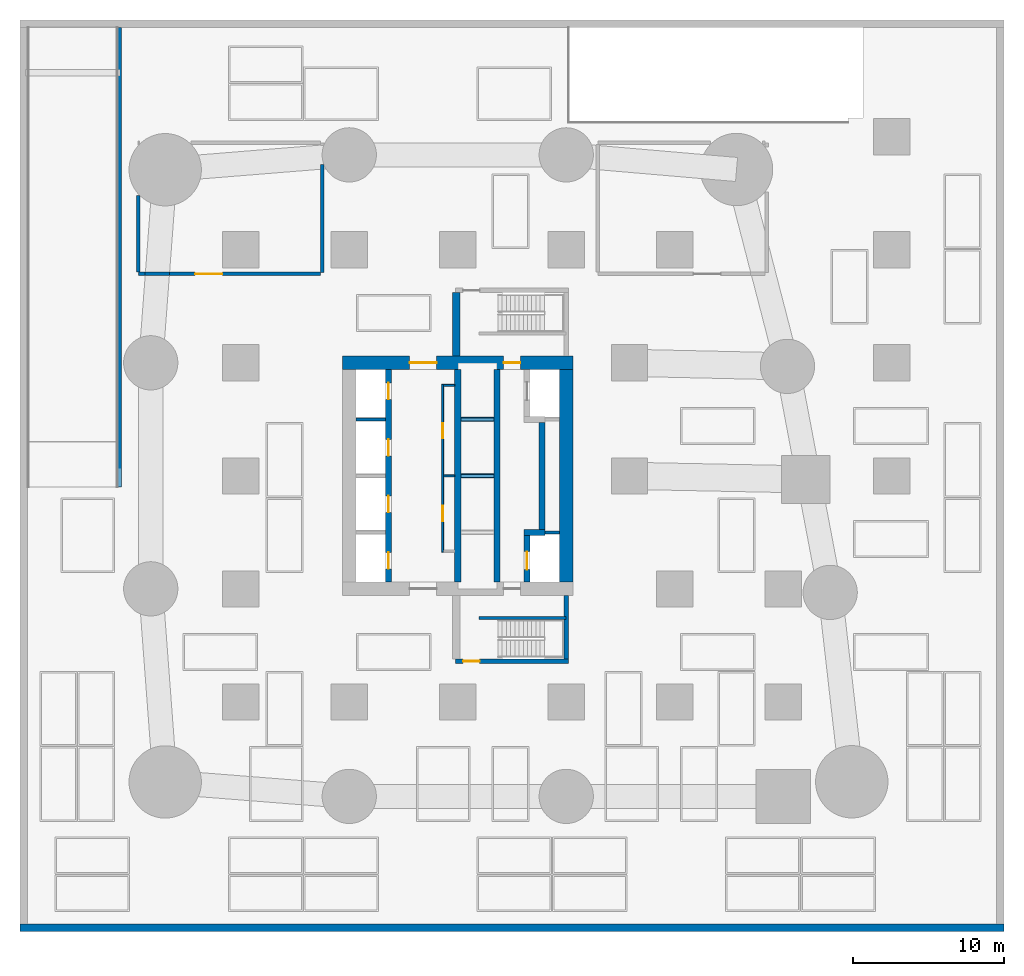
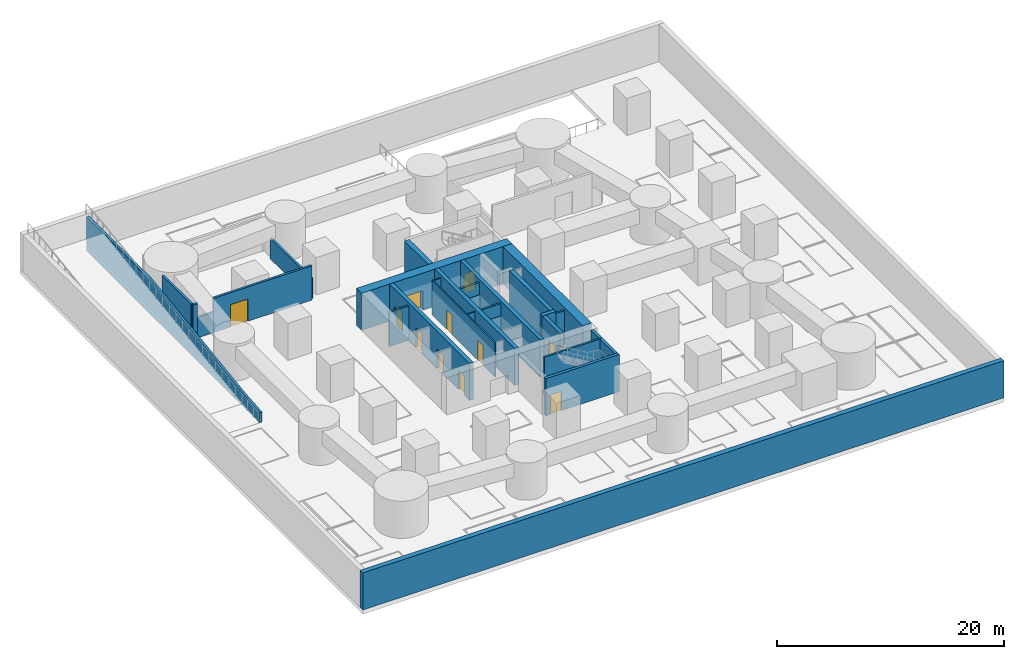
# One storey, part 2 of 8: 28 walls, 11 doors, 11 openings.
"""IFC4 building model written with IfcOpenShell, lengths in metres."""

from ifc_helpers import new_model, si_unit, direction, frame, frame_2d, origin, place, context, subcontext, project, spatial, polyline, rectangle, outline, extrude, material, layer, layer_set, type_object, element, fill, save


model = new_model("IFC4")

# Units and contexts
model_context = context("Model", 3, precision=1e-05, world=origin(), true_north=direction((0.0, 1.0)))
body_context = subcontext(model_context, "Body", "Model", "MODEL_VIEW")
ifc_project = project(units=[si_unit("LENGTHUNIT", "METRE"), si_unit("AREAUNIT", "SQUARE_METRE"), si_unit("VOLUMEUNIT", "CUBIC_METRE"), si_unit("PLANEANGLEUNIT", "RADIAN"), si_unit("MASSUNIT", "GRAM", prefix="KILO")], contexts=[model_context])

# Site, building, storey
site_placement = place(None, origin())
site = spatial("IfcSite", under=ifc_project, at=site_placement, CompositionType="ELEMENT")
building_placement = place(site_placement, origin())
building = spatial("IfcBuilding", under=site, at=building_placement, Name="Sheger Commons Tower", CompositionType="ELEMENT")
storey_placement = place(building_placement, frame((0.0, 0.0, -4.0)))
storey = spatial("IfcBuildingStorey", under=building, at=storey_placement, Name="B1", CompositionType="ELEMENT", Elevation=-4.0)

# Wall, openings, doors
ifc_material_1 = material(Name="Concrete C50/60", Category="concrete")
ifc_layer_1 = layer(ifc_material_1, 0.39990234375)
ifc_layer_set_1 = layer_set([ifc_layer_1], Name="CORE INNER WALL 400")
wall_type_1 = type_object("IfcWallType", Name="CORE INNER WALL 400", PredefinedType="SHEAR", material=ifc_layer_set_1)
wall_1_placement = place(storey_placement, frame((17.0, 15.449951171875, 0.0), z_axis=(0.0, 0.0, 1.0), x_axis=(0.0, 1.0, 0.0)))
wall_1 = element("IfcWall", 1, at=wall_1_placement, inside=storey, type_object=wall_type_1, Name="Core inner wall A B1", PredefinedType="SHEAR", context=body_context, shape_type="SweptSolid", body=[
    extrude(rectangle(XDim=14.10009765625, YDim=0.39990234375, at=frame_2d((7.050048828125, 0.0))), origin(), (0.0, 0.0, 1.0), 4.0),
])
opening_1_placement = place(wall_1_placement, frame((0.875, 0.0, 0.0)))
opening_1 = element("IfcOpeningElement", 2, at=opening_1_placement, cuts=wall_1, Name="Opening LD", PredefinedType="OPENING", context=body_context, shape_type="SweptSolid", body=[
    extrude(rectangle(XDim=1.10009765625, YDim=2.10009765625, at=frame_2d((0.550048828125, 1.050048828125))), frame((0.0, 0.2099609375, 0.0), z_axis=(0.0, -1.0, 0.0), x_axis=(1.0, 0.0, 0.0)), (0.0, 0.0, 1.0), 0.419921875),
])
opening_2_placement = place(wall_1_placement, frame((4.625, 0.0, 0.0)))
opening_2 = element("IfcOpeningElement", 3, at=opening_2_placement, cuts=wall_1, Name="Opening LD", PredefinedType="OPENING", context=body_context, shape_type="SweptSolid", body=[
    extrude(rectangle(XDim=1.10009765625, YDim=2.10009765625, at=frame_2d((0.550048828125, 1.050048828125))), frame((0.0, 0.2099609375, 0.0), z_axis=(0.0, -1.0, 0.0), x_axis=(1.0, 0.0, 0.0)), (0.0, 0.0, 1.0), 0.419921875),
])
opening_3_placement = place(wall_1_placement, frame((8.375, 0.0, 0.0)))
opening_3 = element("IfcOpeningElement", 4, at=opening_3_placement, cuts=wall_1, Name="Opening LD", PredefinedType="OPENING", context=body_context, shape_type="SweptSolid", body=[
    extrude(rectangle(XDim=1.10009765625, YDim=2.10009765625, at=frame_2d((0.550048828125, 1.050048828125))), frame((0.0, 0.2099609375, 0.0), z_axis=(0.0, -1.0, 0.0), x_axis=(1.0, 0.0, 0.0)), (0.0, 0.0, 1.0), 0.419921875),
])
opening_4_placement = place(wall_1_placement, frame((12.125, 0.0, 0.0)))
opening_4 = element("IfcOpeningElement", 5, at=opening_4_placement, cuts=wall_1, Name="Opening LD", PredefinedType="OPENING", context=body_context, shape_type="SweptSolid", body=[
    extrude(rectangle(XDim=1.10009765625, YDim=2.10009765625, at=frame_2d((0.550048828125, 1.050048828125))), frame((0.0, 0.2099609375, 0.0), z_axis=(0.0, -1.0, 0.0), x_axis=(1.0, 0.0, 0.0)), (0.0, 0.0, 1.0), 0.419921875),
])
ifc_material_2 = material(Name="Steel door set, fire rated", Category="steel")
door_type_1 = type_object("IfcDoorType", Name="LIFT LANDING DOOR 1100x2100", OperationType="DOUBLE_DOOR_SLIDING", PredefinedType="DOOR", material=ifc_material_2)
door_1_placement = place(opening_1_placement, origin())
door_1 = element("IfcDoor", 6, at=door_1_placement, inside=storey, type_object=door_type_1, Name="Lift LA1 landing door", OperationType="DOUBLE_DOOR_SLIDING", OverallHeight=2.10009765625, OverallWidth=1.10009765625, PredefinedType="DOOR", context=body_context, shape_type="SweptSolid", body=[
    extrude(rectangle(XDim=1.10009765625, YDim=2.10009765625, at=frame_2d((0.550048828125, 1.050048828125))), frame((0.0, 0.02490234375, 0.0), z_axis=(0.0, -1.0, 0.0), x_axis=(1.0, 0.0, 0.0)), (0.0, 0.0, 1.0), 0.050048828125),
])
fill(opening_1, door_1)
door_2_placement = place(opening_2_placement, origin())
door_2 = element("IfcDoor", 7, at=door_2_placement, inside=storey, type_object=door_type_1, Name="Lift LA2 landing door", OperationType="DOUBLE_DOOR_SLIDING", OverallHeight=2.10009765625, OverallWidth=1.10009765625, PredefinedType="DOOR", context=body_context, shape_type="SweptSolid", body=[
    extrude(rectangle(XDim=1.10009765625, YDim=2.10009765625, at=frame_2d((0.550048828125, 1.050048828125))), frame((0.0, 0.02490234375, 0.0), z_axis=(0.0, -1.0, 0.0), x_axis=(1.0, 0.0, 0.0)), (0.0, 0.0, 1.0), 0.050048828125),
])
fill(opening_2, door_2)
door_3_placement = place(opening_3_placement, origin())
door_3 = element("IfcDoor", 8, at=door_3_placement, inside=storey, type_object=door_type_1, Name="Lift LA3 landing door", OperationType="DOUBLE_DOOR_SLIDING", OverallHeight=2.10009765625, OverallWidth=1.10009765625, PredefinedType="DOOR", context=body_context, shape_type="SweptSolid", body=[
    extrude(rectangle(XDim=1.10009765625, YDim=2.10009765625, at=frame_2d((0.550048828125, 1.050048828125))), frame((0.0, 0.02490234375, 0.0), z_axis=(0.0, -1.0, 0.0), x_axis=(1.0, 0.0, 0.0)), (0.0, 0.0, 1.0), 0.050048828125),
])
fill(opening_3, door_3)
door_4_placement = place(opening_4_placement, origin())
door_4 = element("IfcDoor", 9, at=door_4_placement, inside=storey, type_object=door_type_1, Name="Lift LA4 landing door", OperationType="DOUBLE_DOOR_SLIDING", OverallHeight=2.10009765625, OverallWidth=1.10009765625, PredefinedType="DOOR", context=body_context, shape_type="SweptSolid", body=[
    extrude(rectangle(XDim=1.10009765625, YDim=2.10009765625, at=frame_2d((0.550048828125, 1.050048828125))), frame((0.0, 0.02490234375, 0.0), z_axis=(0.0, -1.0, 0.0), x_axis=(1.0, 0.0, 0.0)), (0.0, 0.0, 1.0), 0.050048828125),
])
fill(opening_4, door_4)

# Walls
for number, where, z_axis, x_axis, name in (
    (10, (21.60009765625, 15.449951171875, 0.0), (0.0, 0.0, 1.0), (0.0, 1.0, 0.0), "Core inner wall L B1"),
    (11, (24.199951171875, 15.449951171875, 0.0), (0.0, 0.0, 1.0), (0.0, 1.0, 0.0), "Core inner wall B B1"),
):
    element("IfcWall", number, at=place(storey_placement, frame(where, z_axis=z_axis, x_axis=x_axis)), inside=storey, type_object=wall_type_1, Name=name, PredefinedType="SHEAR", context=body_context, shape_type="SweptSolid", body=[
        extrude(rectangle(XDim=14.10009765625, YDim=0.39990234375, at=frame_2d((7.050048828125, 0.0))), origin(), (0.0, 0.0, 1.0), 4.0),
    ])

# Wall, opening, door
wall_2_placement = place(storey_placement, frame((26.199951171875, 15.449951171875, 0.0), z_axis=(0.0, 0.0, 1.0), x_axis=(0.0, 1.0, 0.0)))
wall_2 = element("IfcWall", 12, at=wall_2_placement, inside=storey, type_object=wall_type_1, Name="Core inner wall F B1", PredefinedType="SHEAR", context=body_context, shape_type="SweptSolid", body=[
    extrude(rectangle(XDim=3.10009765625, YDim=0.39990234375, at=frame_2d((1.550048828125, 0.0))), origin(), (0.0, 0.0, 1.0), 4.0),
])
opening_5_placement = place(wall_2_placement, frame((0.824951171875, 0.0, 0.0)))
opening_5 = element("IfcOpeningElement", 13, at=opening_5_placement, cuts=wall_2, Name="Opening LD2", PredefinedType="OPENING", context=body_context, shape_type="SweptSolid", body=[
    extrude(rectangle(XDim=1.199951171875, YDim=2.10009765625, at=frame_2d((0.60009765625, 1.050048828125))), frame((0.0, 0.2099609375, 0.0), z_axis=(0.0, -1.0, 0.0), x_axis=(1.0, 0.0, 0.0)), (0.0, 0.0, 1.0), 0.419921875),
])
ifc_material_3 = material(Name="Steel door set, fire rated", Category="steel")
door_type_2 = type_object("IfcDoorType", Name="FIREFIGHTING LIFT LANDING DOOR 1200x2100", OperationType="DOUBLE_DOOR_SLIDING", PredefinedType="DOOR", material=ifc_material_3)
door_5_placement = place(opening_5_placement, origin())
door_5 = element("IfcDoor", 14, at=door_5_placement, inside=storey, type_object=door_type_2, Name="Lift FL1 landing door", OperationType="DOUBLE_DOOR_SLIDING", OverallHeight=2.10009765625, OverallWidth=1.199951171875, PredefinedType="DOOR", context=body_context, shape_type="SweptSolid", body=[
    extrude(rectangle(XDim=1.199951171875, YDim=2.10009765625, at=frame_2d((0.60009765625, 1.050048828125))), frame((0.0, 0.02490234375, 0.0), z_axis=(0.0, -1.0, 0.0), x_axis=(1.0, 0.0, 0.0)), (0.0, 0.0, 1.0), 0.050048828125),
])
fill(opening_5, door_5)

# Walls
wall_3_placement = place(storey_placement, frame((26.0, 18.75, 0.0), z_axis=(0.0, 0.0, 1.0), x_axis=(1.0, 0.0, 0.0)))
element("IfcWall", 15, at=wall_3_placement, inside=storey, type_object=wall_type_1, Name="Core inner wall F south return B1", PredefinedType="SHEAR", context=body_context, shape_type="SweptSolid", body=[
    extrude(rectangle(XDim=1.39990234375, YDim=0.39990234375, at=frame_2d((0.699951171875, 0.0))), origin(), (0.0, 0.0, 1.0), 4.0),
])
wall_4_placement = place(storey_placement, frame((27.199951171875, 18.949951171875, 0.0), z_axis=(0.0, 0.0, 1.0), x_axis=(0.0, 1.0, 0.0)))
element("IfcWall", 16, at=wall_4_placement, inside=storey, type_object=wall_type_1, Name="Core inner wall F middle B1", PredefinedType="SHEAR", context=body_context, shape_type="SweptSolid", body=[
    extrude(rectangle(XDim=7.10009765625, YDim=0.39990234375, at=frame_2d((3.550048828125, 0.0))), origin(), (0.0, 0.0, 1.0), 4.0),
])

# Wall, openings, doors
ifc_material_4 = material(Name="Concrete C50/60", Category="concrete")
ifc_layer_2 = layer(ifc_material_4, 0.89990234375)
ifc_layer_set_2 = layer_set([ifc_layer_2], Name="CORE WALL 900")
wall_type_2 = type_object("IfcWallType", Name="CORE WALL 900", PredefinedType="SHEAR", material=ifc_layer_set_2)
wall_5_placement = place(storey_placement, frame((13.949951171875, 30.0, 0.0), z_axis=(0.0, 0.0, 1.0), x_axis=(1.0, 0.0, 0.0)))
wall_5 = element("IfcWall", 17, at=wall_5_placement, inside=storey, type_object=wall_type_2, Name="Core wall north B1", PredefinedType="SHEAR", context=body_context, shape_type="SweptSolid", body=[
    extrude(rectangle(XDim=15.300048828125, YDim=0.89990234375, at=frame_2d((7.64990234375, 0.0))), origin(), (0.0, 0.0, 1.0), 4.0),
])
opening_6_placement = place(wall_5_placement, frame((4.449951171875, 0.0, 0.0)))
opening_6 = element("IfcOpeningElement", 18, at=opening_6_placement, cuts=wall_5, Name="Opening D6", PredefinedType="OPENING", context=body_context, shape_type="SweptSolid", body=[
    extrude(rectangle(XDim=1.800048828125, YDim=2.10009765625, at=frame_2d((0.89990234375, 1.050048828125))), frame((0.0, 0.4599609375, 0.0), z_axis=(0.0, -1.0, 0.0), x_axis=(1.0, 0.0, 0.0)), (0.0, 0.0, 1.0), 0.919921875),
])
opening_7_placement = place(wall_5_placement, frame((10.699951171875, 0.0, 0.0)))
opening_7 = element("IfcOpeningElement", 19, at=opening_7_placement, cuts=wall_5, Name="Opening D5", PredefinedType="OPENING", context=body_context, shape_type="SweptSolid", body=[
    extrude(rectangle(XDim=1.10009765625, YDim=2.10009765625, at=frame_2d((0.550048828125, 1.050048828125))), frame((0.0, 0.4599609375, 0.0), z_axis=(0.0, -1.0, 0.0), x_axis=(1.0, 0.0, 0.0)), (0.0, 0.0, 1.0), 0.919921875),
])
ifc_material_5 = material(Name="Steel door set, fire rated", Category="steel")
door_type_3 = type_object("IfcDoorType", Name="LOBBY DOUBLE DOOR 1800x2100", OperationType="DOUBLE_DOOR_SINGLE_SWING", PredefinedType="DOOR", material=ifc_material_5)
door_6_placement = place(opening_6_placement, origin())
door_6 = element("IfcDoor", 20, at=door_6_placement, inside=storey, type_object=door_type_3, Name="Lift lobby door", OperationType="DOUBLE_DOOR_SINGLE_SWING", OverallHeight=2.10009765625, OverallWidth=1.800048828125, PredefinedType="DOOR", context=body_context, shape_type="SweptSolid", body=[
    extrude(rectangle(XDim=1.800048828125, YDim=2.10009765625, at=frame_2d((0.89990234375, 1.050048828125))), frame((0.0, 0.02490234375, 0.0), z_axis=(0.0, -1.0, 0.0), x_axis=(1.0, 0.0, 0.0)), (0.0, 0.0, 1.0), 0.050048828125),
])
fill(opening_6, door_6)
ifc_material_6 = material(Name="Steel door set, fire rated", Category="steel")
door_type_4 = type_object("IfcDoorType", Name="STAIR DOOR 1100x2100", OperationType="NOTDEFINED", PredefinedType="DOOR", material=ifc_material_6)
door_7_placement = place(opening_7_placement, origin())
door_7 = element("IfcDoor", 21, at=door_7_placement, inside=storey, type_object=door_type_4, Name="Fire-fighting lobby door", OperationType="SINGLE_SWING_RIGHT", OverallHeight=2.10009765625, OverallWidth=1.10009765625, PredefinedType="DOOR", context=body_context, shape_type="SweptSolid", body=[
    extrude(rectangle(XDim=1.10009765625, YDim=2.10009765625, at=frame_2d((0.550048828125, 1.050048828125))), frame((0.0, 0.02490234375, 0.0), z_axis=(0.0, -1.0, 0.0), x_axis=(1.0, 0.0, 0.0)), (0.0, 0.0, 1.0), 0.050048828125),
])
fill(opening_7, door_7)

# Walls
wall_6_placement = place(storey_placement, frame((28.800048828125, 15.449951171875, 0.0), z_axis=(0.0, 0.0, 1.0), x_axis=(0.0, 1.0, 0.0)))
element("IfcWall", 22, at=wall_6_placement, inside=storey, type_object=wall_type_2, Name="Core wall east B1", PredefinedType="SHEAR", context=body_context, shape_type="SweptSolid", body=[
    extrude(rectangle(XDim=14.10009765625, YDim=0.89990234375, at=frame_2d((7.050048828125, 0.0))), origin(), (0.0, 0.0, 1.0), 4.0),
])
ifc_material_7 = material(Name="Dense concrete block masonry, skimmed both sides", Category="masonry")
ifc_layer_3 = layer(ifc_material_7, 0.22509765625)
ifc_layer_set_3 = layer_set([ifc_layer_3], Name="FIRE WALL 225")
wall_type_3 = type_object("IfcWallType", Name="FIRE WALL 225", PredefinedType="SOLIDWALL", material=ifc_layer_set_3)
wall_7_placement = place(storey_placement, frame((0.39990234375, 35.89990234375, 0.0), z_axis=(0.0, 0.0, 1.0), x_axis=(1.0, 0.0, 0.0)))
element("IfcWall", 23, at=wall_7_placement, inside=storey, type_object=wall_type_3, Name="Plant room wall B1", PredefinedType="SOLIDWALL", context=body_context, shape_type="SweptSolid", body=[
    extrude(rectangle(XDim=0.45703125, YDim=0.22509765625, at=frame_2d((0.228515625, 0.0))), origin(), (0.0, 0.0, 1.0), 3.699951171875),
])
wall_8_placement = place(storey_placement, frame((0.85693359375, 35.89990234375, 0.0), z_axis=(0.0, 0.0, 1.0), x_axis=(1.0, 0.0, 0.0)))
element("IfcWall", 24, at=wall_8_placement, inside=storey, type_object=wall_type_3, Name="Plant room wall B1", PredefinedType="SOLIDWALL", context=body_context, shape_type="SweptSolid", body=[
    extrude(rectangle(XDim=1.62109375, YDim=0.22509765625, at=frame_2d((0.810546875, 0.0))), origin(), (0.0, 0.0, 1.0), 2.199951171875),
])

# Wall, opening, door
wall_9_placement = place(storey_placement, frame((2.47802734375, 35.89990234375, 0.0), z_axis=(0.0, 0.0, 1.0), x_axis=(1.0, 0.0, 0.0)))
wall_9 = element("IfcWall", 25, at=wall_9_placement, inside=storey, type_object=wall_type_3, Name="Plant room wall B1", PredefinedType="SOLIDWALL", context=body_context, shape_type="SweptSolid", body=[
    extrude(rectangle(XDim=10.009033203125, YDim=0.22509765625, at=frame_2d((5.00439453125, 0.0))), origin(), (0.0, 0.0, 1.0), 3.699951171875),
])
opening_8_placement = place(wall_9_placement, frame((1.699951171875, 0.0, 0.0)))
opening_8 = element("IfcOpeningElement", 26, at=opening_8_placement, cuts=wall_9, Name="Opening D7", PredefinedType="OPENING", context=body_context, shape_type="SweptSolid", body=[
    extrude(rectangle(XDim=1.800048828125, YDim=2.39990234375, at=frame_2d((0.89990234375, 1.199951171875))), frame((0.0, 0.12255859375, 0.0), z_axis=(0.0, -1.0, 0.0), x_axis=(1.0, 0.0, 0.0)), (0.0, 0.0, 1.0), 0.2451171875),
])
ifc_material_8 = material(Name="Steel door set, fire rated", Category="steel")
door_type_5 = type_object("IfcDoorType", Name="PLANT DOUBLE DOOR 1800x2400", OperationType="DOUBLE_DOOR_SINGLE_SWING", PredefinedType="DOOR", material=ifc_material_8)
door_8_placement = place(opening_8_placement, origin())
door_8 = element("IfcDoor", 27, at=door_8_placement, inside=storey, type_object=door_type_5, Name="Transformer room door", OperationType="DOUBLE_DOOR_SINGLE_SWING", OverallHeight=2.39990234375, OverallWidth=1.800048828125, PredefinedType="DOOR", context=body_context, shape_type="SweptSolid", body=[
    extrude(rectangle(XDim=1.800048828125, YDim=2.39990234375, at=frame_2d((0.89990234375, 1.199951171875))), frame((0.0, 0.02490234375, 0.0), z_axis=(0.0, -1.0, 0.0), x_axis=(1.0, 0.0, 0.0)), (0.0, 0.0, 1.0), 0.050048828125),
])
fill(opening_8, door_8)

# Walls
wall_10_placement = place(storey_placement, frame((0.39990234375, 36.011962890625, 0.0), z_axis=(0.0, 0.0, 1.0), x_axis=(0.0, 1.0, 0.0)))
element("IfcWall", 28, at=wall_10_placement, inside=storey, type_object=wall_type_3, Name="Plant room wall B1", PredefinedType="SOLIDWALL", context=body_context, shape_type="SweptSolid", body=[
    extrude(rectangle(XDim=5.08203125, YDim=0.22509765625, at=frame_2d((2.541015625, 0.0))), origin(), (0.0, 0.0, 1.0), 3.699951171875),
])
wall_11_placement = place(storey_placement, frame((12.60009765625, 36.0, 0.0), z_axis=(0.0, 0.0, 1.0), x_axis=(0.0, 1.0, 0.0)))
element("IfcWall", 29, at=wall_11_placement, inside=storey, type_object=wall_type_3, Name="Plant room wall B1", PredefinedType="SOLIDWALL", context=body_context, shape_type="SweptSolid", body=[
    extrude(rectangle(XDim=7.174072265625, YDim=0.22509765625, at=frame_2d((3.5869140625, 0.0))), origin(), (0.0, 0.0, 1.0), 2.199951171875),
])
ifc_material_9 = material(Name="Concrete C40/50", Category="concrete")
ifc_layer_4 = layer(ifc_material_9, 0.300048828125)
ifc_layer_set_4 = layer_set([ifc_layer_4], Name="LIFT PIT WALL 300")
wall_type_4 = type_object("IfcWallType", Name="LIFT PIT WALL 300", PredefinedType="SHEAR", material=ifc_layer_set_4)
for number, where, z_axis, x_axis, name in (
    (30, (21.800048828125, 22.5, 0.0), (0.0, 0.0, 1.0), (1.0, 0.0, 0.0), "Lift pit wall B1"),
    (31, (21.800048828125, 26.25, 0.0), (0.0, 0.0, 1.0), (1.0, 0.0, 0.0), "Lift pit wall B1"),
):
    element("IfcWall", number, at=place(storey_placement, frame(where, z_axis=z_axis, x_axis=x_axis)), inside=storey, type_object=wall_type_4, Name=name, PredefinedType="SHEAR", context=body_context, shape_type="SweptSolid", body=[
        extrude(rectangle(XDim=2.199951171875, YDim=0.300048828125, at=frame_2d((1.10009765625, 0.0))), origin(), (0.0, 0.0, 1.0), 2.39990234375),
    ])
ifc_material_10 = material(Name="Concrete C50/60", Category="concrete")
ifc_layer_5 = layer(ifc_material_10, 0.25)
ifc_layer_set_5 = layer_set([ifc_layer_5], Name="RAMP WALL 250")
wall_type_5 = type_object("IfcWallType", Name="RAMP WALL 250", PredefinedType="SOLIDWALL", material=ifc_layer_set_5)
wall_12_placement = place(storey_placement, frame((-0.824951171875, 21.75, 0.0), z_axis=(0.0, 0.0, 1.0), x_axis=(0.0, 1.0, 0.0)))
element("IfcWall", 32, at=wall_12_placement, inside=storey, type_object=wall_type_5, Name="R1 ramp wall", PredefinedType="SOLIDWALL", context=body_context, shape_type="SweptSolid", body=[
    extrude(outline(polyline([(0.0, 0.0), (30.5, 0.0), (30.5, 3.699951171875), (30.489990234375, 3.699951171875), (30.0, 3.699951171875), (29.5, 3.699951171875), (29.0, 3.699951171875), (28.5, 3.699951171875), (28.0, 3.699951171875), (27.5, 3.699951171875), (27.0, 3.699951171875), (26.5, 3.699951171875), (26.0, 3.699951171875), (25.5, 3.699951171875), (25.0, 3.699951171875), (24.5, 3.699951171875), (24.0, 3.699951171875), (23.5, 3.699951171875), (23.0, 3.699951171875), (22.5, 3.699951171875), (22.0, 3.699951171875), (21.5, 3.699951171875), (21.0, 3.699951171875), (20.5, 3.699951171875), (20.0, 3.699951171875), (19.5, 3.699951171875), (19.0, 3.635986328125), (18.5, 3.56396484375), (18.0, 3.492919921875), (17.5, 3.4208984375), (17.0, 3.35009765625), (16.5, 3.279052734375), (16.0, 3.20703125), (15.5, 3.135986328125), (15.0, 3.06396484375), (14.5, 2.992919921875), (14.0, 2.9208984375), (13.5, 2.85009765625), (13.0, 2.779052734375), (12.5, 2.70703125), (12.0, 2.635986328125), (11.5, 2.56396484375), (11.260009765625, 2.530029296875), (11.25, 2.529052734375), (11.239990234375, 2.527099609375), (11.0, 2.492919921875), (10.5, 2.4208984375), (10.0, 2.35009765625), (9.5, 2.279052734375), (9.0, 2.20703125), (8.5, 2.135986328125), (8.0, 2.06396484375), (7.5, 1.992919921875), (7.0, 1.9208984375), (6.5, 1.85009765625), (6.0, 1.779052734375), (5.5, 1.70703125), (5.0, 1.635986328125), (4.5, 1.56396484375), (4.0, 1.492919921875), (3.5, 1.4208984375), (3.0, 1.35009765625), (2.5, 1.30810546875), (2.0, 1.26708984375), (1.5, 1.22509765625), (1.0, 1.18310546875), (0.5, 1.14208984375), (0.0, 1.10009765625), (0.0, 0.0)])), frame((0.0, 0.125, 0.0), z_axis=(0.0, -1.0, 0.0), x_axis=(1.0, 0.0, 0.0)), (0.0, 0.0, 1.0), 0.25),
])
ifc_material_11 = material(Name="Concrete C40/50", Category="concrete")
ifc_layer_6 = layer(ifc_material_11, 0.5)
ifc_layer_set_6 = layer_set([ifc_layer_6], Name="RETAINING WALL 500")
wall_type_6 = type_object("IfcWallType", Name="RETAINING WALL 500", PredefinedType="SOLIDWALL", material=ifc_layer_set_6)
wall_13_placement = place(storey_placement, frame((-7.449951171875, -7.5, 0.0), z_axis=(0.0, 0.0, 1.0), x_axis=(1.0, 0.0, 0.0)))
element("IfcWall", 33, at=wall_13_placement, inside=storey, type_object=wall_type_6, Name="Retaining wall south B1", PredefinedType="SOLIDWALL", context=body_context, shape_type="SweptSolid", body=[
    extrude(rectangle(XDim=65.300048828125, YDim=0.5, at=frame_2d((32.64990234375, 0.0))), origin(), (0.0, 0.0, 1.0), 4.0),
])

# Wall, openings, doors
ifc_material_12 = material(Name="Gypsum board on steel studs, two layers each side, fire rated", Category="steel")
ifc_layer_7 = layer(ifc_material_12, 0.125)
ifc_layer_set_7 = layer_set([ifc_layer_7], Name="SERVICE WALL 125")
wall_type_7 = type_object("IfcWallType", Name="SERVICE WALL 125", PredefinedType="PARTITIONING", material=ifc_layer_set_7)
wall_14_placement = place(storey_placement, frame((20.60009765625, 17.43798828125, 0.0), z_axis=(0.0, 0.0, 1.0), x_axis=(0.0, 1.0, 0.0)))
wall_14 = element("IfcWall", 34, at=wall_14_placement, inside=storey, type_object=wall_type_7, Name="Service room wall B1", PredefinedType="PARTITIONING", context=body_context, shape_type="SweptSolid", body=[
    extrude(rectangle(XDim=11.1240234375, YDim=0.125, at=frame_2d((5.56201171875, 0.0))), origin(), (0.0, 0.0, 1.0), 3.699951171875),
])
opening_9_placement = place(wall_14_placement, frame((2.06201171875, 0.0, 0.0)))
opening_9 = element("IfcOpeningElement", 35, at=opening_9_placement, cuts=wall_14, Name="Opening D4", PredefinedType="OPENING", context=body_context, shape_type="SweptSolid", body=[
    extrude(rectangle(XDim=1.0, YDim=2.10009765625, at=frame_2d((0.5, 1.050048828125))), frame((0.0, 0.072509765625, 0.0), z_axis=(0.0, -1.0, 0.0), x_axis=(1.0, 0.0, 0.0)), (0.0, 0.0, 1.0), 0.14501953125),
])
opening_10_placement = place(wall_14_placement, frame((7.56201171875, 0.0, 0.0)))
opening_10 = element("IfcOpeningElement", 36, at=opening_10_placement, cuts=wall_14, Name="Opening D4", PredefinedType="OPENING", context=body_context, shape_type="SweptSolid", body=[
    extrude(rectangle(XDim=1.0, YDim=2.10009765625, at=frame_2d((0.5, 1.050048828125))), frame((0.0, 0.072509765625, 0.0), z_axis=(0.0, -1.0, 0.0), x_axis=(1.0, 0.0, 0.0)), (0.0, 0.0, 1.0), 0.14501953125),
])
ifc_material_13 = material(Name="Steel door set, fire rated", Category="steel")
door_type_6 = type_object("IfcDoorType", Name="SERVICE DOOR 1000x2100", OperationType="NOTDEFINED", PredefinedType="DOOR", material=ifc_material_13)
door_9_placement = place(opening_9_placement, origin())
door_9 = element("IfcDoor", 37, at=door_9_placement, inside=storey, type_object=door_type_6, Name="Linen cupboard door", OperationType="SINGLE_SWING_LEFT", OverallHeight=2.10009765625, OverallWidth=1.0, PredefinedType="DOOR", context=body_context, shape_type="SweptSolid", body=[
    extrude(rectangle(XDim=1.0, YDim=2.10009765625, at=frame_2d((0.5, 1.050048828125))), frame((0.0, 0.02490234375, 0.0), z_axis=(0.0, -1.0, 0.0), x_axis=(1.0, 0.0, 0.0)), (0.0, 0.0, 1.0), 0.050048828125),
])
fill(opening_9, door_9)
door_10_placement = place(opening_10_placement, origin())
door_10 = element("IfcDoor", 38, at=door_10_placement, inside=storey, type_object=door_type_6, Name="Housekeeping cupboard door", OperationType="SINGLE_SWING_RIGHT", OverallHeight=2.10009765625, OverallWidth=1.0, PredefinedType="DOOR", context=body_context, shape_type="SweptSolid", body=[
    extrude(rectangle(XDim=1.0, YDim=2.10009765625, at=frame_2d((0.5, 1.050048828125))), frame((0.0, 0.02490234375, 0.0), z_axis=(0.0, -1.0, 0.0), x_axis=(1.0, 0.0, 0.0)), (0.0, 0.0, 1.0), 0.050048828125),
])
fill(opening_10, door_10)

# Walls
for number, where, z_axis, x_axis, name in (
    (39, (20.6630859375, 28.5, 0.0), (0.0, 0.0, 1.0), (1.0, 0.0, 0.0), "Service room wall B1"),
    (40, (20.6630859375, 22.5, 0.0), (0.0, 0.0, 1.0), (1.0, 0.0, 0.0), "Service room wall B1"),
):
    element("IfcWall", number, at=place(storey_placement, frame(where, z_axis=z_axis, x_axis=x_axis)), inside=storey, type_object=wall_type_7, Name=name, PredefinedType="PARTITIONING", context=body_context, shape_type="SweptSolid", body=[
        extrude(rectangle(XDim=0.73681640625, YDim=0.125, at=frame_2d((0.368408203125, 0.0))), origin(), (0.0, 0.0, 1.0), 3.699951171875),
    ])
ifc_material_14 = material(Name="Hollow concrete block masonry", Category="masonry")
ifc_layer_8 = layer(ifc_material_14, 0.199951171875)
ifc_layer_set_8 = layer_set([ifc_layer_8], Name="SHAFT WALL 200")
wall_type_8 = type_object("IfcWallType", Name="SHAFT WALL 200", PredefinedType="SOLIDWALL", material=ifc_layer_set_8)
wall_15_placement = place(storey_placement, frame((21.800048828125, 22.5, 2.39990234375), z_axis=(0.0, 0.0, 1.0), x_axis=(1.0, 0.0, 0.0)))
element("IfcWall", 41, at=wall_15_placement, inside=storey, type_object=wall_type_8, Name="Lift shaft wall B1", PredefinedType="SOLIDWALL", context=body_context, shape_type="SweptSolid", body=[
    extrude(rectangle(XDim=2.199951171875, YDim=0.199951171875, at=frame_2d((1.10009765625, 0.0))), origin(), (0.0, 0.0, 1.0), 1.300048828125),
])
wall_16_placement = place(storey_placement, frame((14.85009765625, 26.25, 0.0), z_axis=(0.0, 0.0, 1.0), x_axis=(1.0, 0.0, 0.0)))
element("IfcWall", 42, at=wall_16_placement, inside=storey, type_object=wall_type_8, Name="Lift shaft wall B1", PredefinedType="SOLIDWALL", context=body_context, shape_type="SweptSolid", body=[
    extrude(rectangle(XDim=1.949951171875, YDim=0.199951171875, at=frame_2d((0.97509765625, 0.0))), origin(), (0.0, 0.0, 1.0), 3.699951171875),
])
wall_17_placement = place(storey_placement, frame((21.800048828125, 26.25, 2.39990234375), z_axis=(0.0, 0.0, 1.0), x_axis=(1.0, 0.0, 0.0)))
element("IfcWall", 43, at=wall_17_placement, inside=storey, type_object=wall_type_8, Name="Lift shaft wall B1", PredefinedType="SOLIDWALL", context=body_context, shape_type="SweptSolid", body=[
    extrude(rectangle(XDim=2.199951171875, YDim=0.199951171875, at=frame_2d((1.10009765625, 0.0))), origin(), (0.0, 0.0, 1.0), 1.300048828125),
])
wall_18_placement = place(storey_placement, frame((27.39990234375, 18.75, 0.0), z_axis=(0.0, 0.0, 1.0), x_axis=(1.0, 0.0, 0.0)))
element("IfcWall", 44, at=wall_18_placement, inside=storey, type_object=wall_type_8, Name="Lift shaft wall B1", PredefinedType="SOLIDWALL", context=body_context, shape_type="SweptSolid", body=[
    extrude(rectangle(XDim=0.9501953125, YDim=0.199951171875, at=frame_2d((0.47509765625, 0.0))), origin(), (0.0, 0.0, 1.0), 3.699951171875),
])

# Wall, opening, door
ifc_material_15 = material(Name="Concrete C50/60", Category="concrete")
ifc_layer_9 = layer(ifc_material_15, 0.300048828125)
ifc_layer_set_9 = layer_set([ifc_layer_9], Name="STAIR CORE WALL 300")
wall_type_9 = type_object("IfcWallType", Name="STAIR CORE WALL 300", PredefinedType="SHEAR", material=ifc_layer_set_9)
wall_19_placement = place(storey_placement, frame((21.449951171875, 10.199951171875, 0.0), z_axis=(0.0, 0.0, 1.0), x_axis=(1.0, 0.0, 0.0)))
wall_19 = element("IfcWall", 45, at=wall_19_placement, inside=storey, type_object=wall_type_9, Name="STW-B1-S1S", PredefinedType="SHEAR", context=body_context, shape_type="SweptSolid", body=[
    extrude(rectangle(XDim=7.5, YDim=0.300048828125, at=frame_2d((3.75, 0.0))), origin(), (0.0, 0.0, 1.0), 4.0),
])
opening_11_placement = place(wall_19_placement, frame((0.5, 0.0, 0.0)))
opening_11 = element("IfcOpeningElement", 46, at=opening_11_placement, cuts=wall_19, Name="Opening D5", PredefinedType="OPENING", context=body_context, shape_type="SweptSolid", body=[
    extrude(rectangle(XDim=1.10009765625, YDim=2.10009765625, at=frame_2d((0.550048828125, 1.050048828125))), frame((0.0, 0.159912109375, 0.0), z_axis=(0.0, -1.0, 0.0), x_axis=(1.0, 0.0, 0.0)), (0.0, 0.0, 1.0), 0.320068359375),
])
door_11_placement = place(opening_11_placement, origin())
door_11 = element("IfcDoor", 47, at=door_11_placement, inside=storey, type_object=door_type_4, Name="Stair S1 door", OperationType="SINGLE_SWING_LEFT", OverallHeight=2.10009765625, OverallWidth=1.10009765625, PredefinedType="DOOR", context=body_context, shape_type="SweptSolid", body=[
    extrude(rectangle(XDim=1.10009765625, YDim=2.10009765625, at=frame_2d((0.550048828125, 1.050048828125))), frame((0.0, 0.02490234375, 0.0), z_axis=(0.0, -1.0, 0.0), x_axis=(1.0, 0.0, 0.0)), (0.0, 0.0, 1.0), 0.050048828125),
])
fill(opening_11, door_11)

# Walls
wall_20_placement = place(storey_placement, frame((28.800048828125, 10.35009765625, 0.0), z_axis=(0.0, 0.0, 1.0), x_axis=(0.0, 1.0, 0.0)))
element("IfcWall", 48, at=wall_20_placement, inside=storey, type_object=wall_type_9, Name="STW-B1-S1E", PredefinedType="SHEAR", context=body_context, shape_type="SweptSolid", body=[
    extrude(rectangle(XDim=4.199951171875, YDim=0.300048828125, at=frame_2d((2.10009765625, 0.0))), origin(), (0.0, 0.0, 1.0), 4.0),
])
ifc_material_16 = material(Name="Concrete C50/60", Category="concrete")
ifc_layer_10 = layer(ifc_material_16, 0.5)
ifc_layer_set_10 = layer_set([ifc_layer_10], Name="STAIR CORE WALL 500")
wall_type_10 = type_object("IfcWallType", Name="STAIR CORE WALL 500", PredefinedType="SHEAR", material=ifc_layer_set_10)
wall_21_placement = place(storey_placement, frame((21.5, 30.449951171875, 0.0), z_axis=(0.0, 0.0, 1.0), x_axis=(0.0, 1.0, 0.0)))
element("IfcWall", 49, at=wall_21_placement, inside=storey, type_object=wall_type_10, Name="STW-B1-S2W", PredefinedType="SHEAR", context=body_context, shape_type="SweptSolid", body=[
    extrude(rectangle(XDim=4.199951171875, YDim=0.5, at=frame_2d((2.10009765625, 0.0))), origin(), (0.0, 0.0, 1.0), 4.0),
])
ifc_material_17 = material(Name="Concrete C50/60", Category="concrete")
ifc_layer_11 = layer(ifc_material_17, 0.199951171875)
ifc_layer_set_11 = layer_set([ifc_layer_11], Name="STAIR SPINE WALL 200")
wall_type_11 = type_object("IfcWallType", Name="STAIR SPINE WALL 200", PredefinedType="SHEAR", material=ifc_layer_set_11)
wall_22_placement = place(storey_placement, frame((23.0, 13.050048828125, 0.0), z_axis=(0.0, 0.0, 1.0), x_axis=(1.0, 0.0, 0.0)))
element("IfcWall", 50, at=wall_22_placement, inside=storey, type_object=wall_type_11, Name="Stair spine wall B1", PredefinedType="SHEAR", context=body_context, shape_type="SweptSolid", body=[
    extrude(rectangle(XDim=5.800048828125, YDim=0.199951171875, at=frame_2d((2.89990234375, 0.0))), origin(), (0.0, 0.0, 1.0), 4.0),
])

save(model, "model.ifc")
